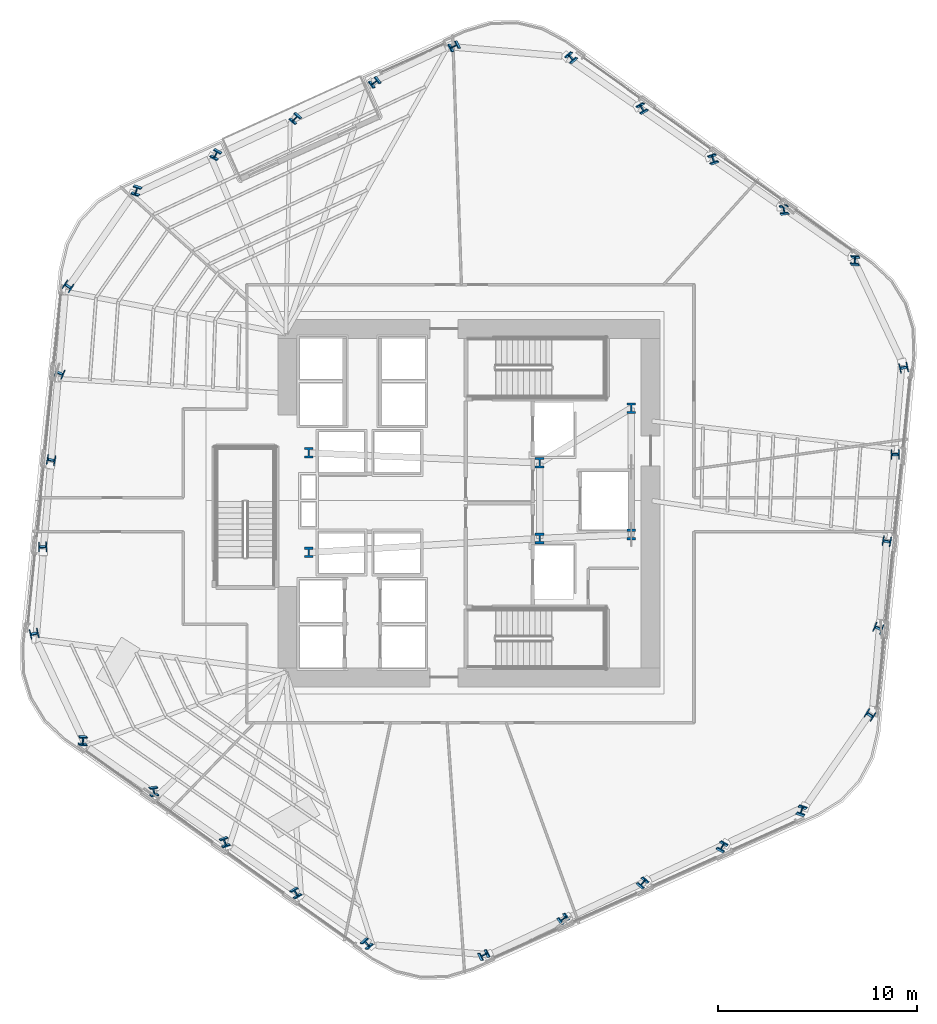
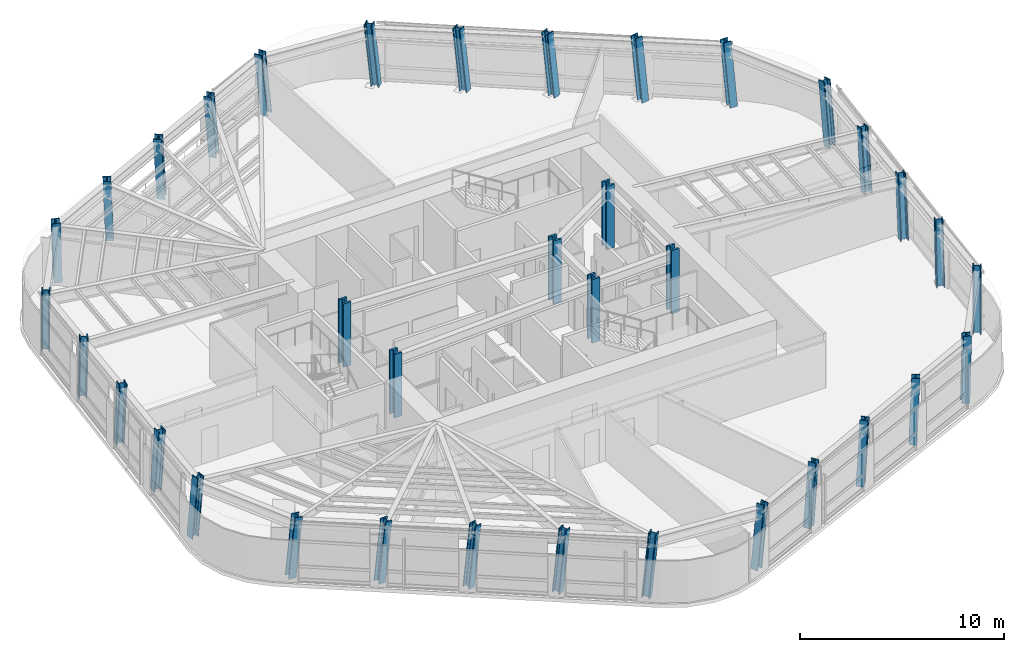
# One storey, part 1 of 16: 36 columns.
"""IFC4 building model written with IfcOpenShell, lengths in metres."""

from ifc_helpers import new_model, si_unit, direction, frame, origin, origin_2d, place, context, subcontext, project, spatial, i_section, extrude, material, material_profile, profile_set, type_object, element, save


model = new_model("IFC4")

# Units and contexts
model_context = context("Model", 3, precision=1e-05, world=origin(), true_north=direction((0.0, 1.0)))
body_context = subcontext(model_context, "Body", "Model", "MODEL_VIEW")
ifc_project = project(units=[si_unit("LENGTHUNIT", "METRE"), si_unit("AREAUNIT", "SQUARE_METRE"), si_unit("VOLUMEUNIT", "CUBIC_METRE"), si_unit("PLANEANGLEUNIT", "RADIAN"), si_unit("MASSUNIT", "GRAM", prefix="KILO")], contexts=[model_context])

# Site, building, storey
site_placement = place(None, origin())
site = spatial("IfcSite", under=ifc_project, at=site_placement, CompositionType="ELEMENT")
building_placement = place(site_placement, origin())
building = spatial("IfcBuilding", under=site, at=building_placement, Name="Valkerne Bourse Tower", CompositionType="ELEMENT")
storey_placement = place(building_placement, frame((0.0, 0.0, 127.60009765625)))
storey = spatial("IfcBuildingStorey", under=building, at=storey_placement, Name="L32", CompositionType="ELEMENT", Elevation=127.60009765625)

# Columns
ifc_material = material(Name="Steel ASTM A913 Grade 65", Category="steel")
ifc_material_profile_1 = material_profile(ifc_material, i_section(OverallWidth=0.408935546875, OverallDepth=0.42431640625, WebThickness=0.03271484375, FlangeThickness=0.052490234375, FilletRadius=0.025390625, at=origin_2d()), Name="W14X283")
ifc_profile_set_1 = profile_set([ifc_material_profile_1], Name="Steel ASTM A913 Grade 65")
column_type_1 = type_object("IfcColumnType", Name="COL-W14X283", PredefinedType="COLUMN", material=ifc_profile_set_1)
column_1_placement = place(storey_placement, frame((66.224365234375, 39.009765625, 0.010009765625), z_axis=(-0.050332594446, 0.079902190161, 0.99553114966), x_axis=(0.996753348808, -0.058703433643, 0.055105975343)))
element("IfcColumn", 1, at=column_1_placement, inside=storey, type_object=column_type_1, Name="L32 Helical Perimeter Tube Column F1-C1", PredefinedType="COLUMN", context=body_context, shape_type="SweptSolid", body=[
    extrude(i_section(OverallWidth=0.408935546875, OverallDepth=0.42431640625, WebThickness=0.03271484375, FlangeThickness=0.052490234375, FilletRadius=0.025390625, at=origin_2d()), origin(), (0.0, 0.0, 1.0), 3.798095703125),
])
column_2_placement = place(storey_placement, frame((62.664794921875, 41.5673828125, 0.010009765625), z_axis=(-0.060776245807, 0.065149562965, 0.996022982863), x_axis=(0.990287052371, 0.128951267169, 0.051991582027)))
element("IfcColumn", 2, at=column_2_placement, inside=storey, type_object=column_type_1, Name="L32 Helical Perimeter Tube Column F1-C2", PredefinedType="COLUMN", context=body_context, shape_type="SweptSolid", body=[
    extrude(i_section(OverallWidth=0.408935546875, OverallDepth=0.42431640625, WebThickness=0.03271484375, FlangeThickness=0.052490234375, FilletRadius=0.025390625, at=origin_2d()), origin(), (0.0, 0.0, 1.0), 3.796142578125),
])
column_3_placement = place(storey_placement, frame((59.105712890625, 44.125, 0.010009765625), z_axis=(-0.071334903883, 0.050365401029, 0.996180032859), x_axis=(0.943263082184, 0.328113050111, 0.05095668883)))
element("IfcColumn", 3, at=column_3_placement, inside=storey, type_object=column_type_1, Name="L32 Helical Perimeter Tube Column F1-C3", PredefinedType="COLUMN", context=body_context, shape_type="SweptSolid", body=[
    extrude(i_section(OverallWidth=0.408935546875, OverallDepth=0.42431640625, WebThickness=0.03271484375, FlangeThickness=0.052490234375, FilletRadius=0.025390625, at=origin_2d()), origin(), (0.0, 0.0, 1.0), 3.79541015625),
])
column_4_placement = place(storey_placement, frame((55.546142578125, 46.6826171875, 0.010009765625), z_axis=(-0.081678211211, 0.03556539433, 0.99602398191), x_axis=(0.857099755541, 0.512520791906, 0.051985064352)))
element("IfcColumn", 4, at=column_4_placement, inside=storey, type_object=column_type_1, Name="L32 Helical Perimeter Tube Column F1-C4", PredefinedType="COLUMN", context=body_context, shape_type="SweptSolid", body=[
    extrude(i_section(OverallWidth=0.408935546875, OverallDepth=0.42431640625, WebThickness=0.03271484375, FlangeThickness=0.052490234375, FilletRadius=0.025390625, at=origin_2d()), origin(), (0.0, 0.0, 1.0), 3.796142578125),
])
for number, where, z_axis, x_axis, name in (
    (5, (51.98681640625, 49.240234375, 0.010009765625), (-0.092115779728, 0.020763012458, 0.995531807849), (0.745280764515, 0.664469984104, 0.055101926176), "L32 Helical Perimeter Tube Column F1-C5"),
    (6, (46.111572265625, 49.826904296875, 0.010009765625), (-0.094429261762, -0.003664035344, 0.995524831116), (-0.444702303378, 0.894833820463, -0.038888238903), "L32 Helical Perimeter Tube Column F2-C1"),
):
    element("IfcColumn", number, at=place(storey_placement, frame(where, z_axis=z_axis, x_axis=x_axis)), inside=storey, type_object=column_type_1, Name=name, PredefinedType="COLUMN", context=body_context, shape_type="SweptSolid", body=[
        extrude(i_section(OverallWidth=0.408935546875, OverallDepth=0.42431640625, WebThickness=0.03271484375, FlangeThickness=0.052490234375, FilletRadius=0.025390625, at=origin_2d()), origin(), (0.0, 0.0, 1.0), 3.798095703125),
    ])
column_5_placement = place(storey_placement, frame((42.11669921875, 48.023193359375, 0.010009765625), z_axis=(-0.086823091581, -0.020065781165, 0.996021643939), x_axis=(-0.604576726843, 0.795702356179, -0.036670720353)))
element("IfcColumn", 7, at=column_5_placement, inside=storey, type_object=column_type_1, Name="L32 Helical Perimeter Tube Column F2-C2", PredefinedType="COLUMN", context=body_context, shape_type="SweptSolid", body=[
    extrude(i_section(OverallWidth=0.408935546875, OverallDepth=0.42431640625, WebThickness=0.03271484375, FlangeThickness=0.052490234375, FilletRadius=0.025390625, at=origin_2d()), origin(), (0.0, 0.0, 1.0), 3.796142578125),
])
column_6_placement = place(storey_placement, frame((38.1220703125, 46.219482421875, 0.010009765625), z_axis=(-0.079247123642, -0.036536011549, 0.996185230394), x_axis=(-0.753873843134, 0.656037099416, -0.035910344306)))
element("IfcColumn", 8, at=column_6_placement, inside=storey, type_object=column_type_1, Name="L32 Helical Perimeter Tube Column F2-C3", PredefinedType="COLUMN", context=body_context, shape_type="SweptSolid", body=[
    extrude(i_section(OverallWidth=0.408935546875, OverallDepth=0.42431640625, WebThickness=0.03271484375, FlangeThickness=0.052490234375, FilletRadius=0.025390625, at=origin_2d()), origin(), (0.0, 0.0, 1.0), 3.79541015625),
])
column_7_placement = place(storey_placement, frame((34.12744140625, 44.415771484375, 0.010009765625), z_axis=(-0.071645109939, -0.052994228537, 0.996021380274), x_axis=(-0.871516145036, 0.488993638267, -0.036671933082)))
element("IfcColumn", 9, at=column_7_placement, inside=storey, type_object=column_type_1, Name="L32 Helical Perimeter Tube Column F2-C4", PredefinedType="COLUMN", context=body_context, shape_type="SweptSolid", body=[
    extrude(i_section(OverallWidth=0.408935546875, OverallDepth=0.42431640625, WebThickness=0.03271484375, FlangeThickness=0.052490234375, FilletRadius=0.025390625, at=origin_2d()), origin(), (0.0, 0.0, 1.0), 3.796142578125),
])
for number, where, z_axis, x_axis, name in (
    (10, (30.1328125, 42.612060546875, 0.010009765625), (-0.064024566123, -0.069424228326, 0.99553057786), (-0.947723078244, 0.316718501968, -0.038863317867), "L32 Helical Perimeter Tube Column F2-C5"),
    (11, (26.687255859375, 37.817138671875, 0.010009765625), (-0.044097042712, -0.083565824381, 0.995526093992), (-0.550154258358, -0.829753314724, -0.094019831496), "L32 Helical Perimeter Tube Column F3-C1"),
):
    element("IfcColumn", number, at=place(storey_placement, frame(where, z_axis=z_axis, x_axis=x_axis)), inside=storey, type_object=column_type_1, Name=name, PredefinedType="COLUMN", context=body_context, shape_type="SweptSolid", body=[
        extrude(i_section(OverallWidth=0.408935546875, OverallDepth=0.42431640625, WebThickness=0.03271484375, FlangeThickness=0.052490234375, FilletRadius=0.025390625, at=origin_2d()), origin(), (0.0, 0.0, 1.0), 3.798095703125),
    ])
column_8_placement = place(storey_placement, frame((26.251953125, 33.455810546875, 0.010009765625), z_axis=(-0.026046795122, -0.085279136622, 0.996016582854), x_axis=(-0.384494376327, -0.918853383033, -0.08872730731)))
element("IfcColumn", 12, at=column_8_placement, inside=storey, type_object=column_type_1, Name="L32 Helical Perimeter Tube Column F3-C2", PredefinedType="COLUMN", context=body_context, shape_type="SweptSolid", body=[
    extrude(i_section(OverallWidth=0.408935546875, OverallDepth=0.42431640625, WebThickness=0.03271484375, FlangeThickness=0.052490234375, FilletRadius=0.025390625, at=origin_2d()), origin(), (0.0, 0.0, 1.0), 3.796142578125),
])
column_9_placement = place(storey_placement, frame((25.81640625, 29.094482421875, 0.010009765625), z_axis=(-0.007976169407, -0.086901652166, 0.996184964538), x_axis=(-0.189504820745, -0.978032478542, -0.086835441098)))
element("IfcColumn", 13, at=column_9_placement, inside=storey, type_object=column_type_1, Name="L32 Helical Perimeter Tube Column F3-C3", PredefinedType="COLUMN", context=body_context, shape_type="SweptSolid", body=[
    extrude(i_section(OverallWidth=0.408935546875, OverallDepth=0.42431640625, WebThickness=0.03271484375, FlangeThickness=0.052490234375, FilletRadius=0.025390625, at=origin_2d()), origin(), (0.0, 0.0, 1.0), 3.79541015625),
])
column_10_placement = place(storey_placement, frame((25.381103515625, 24.733154296875, 0.010009765625), z_axis=(0.01009718448, -0.088559382351, 0.996019720017), x_axis=(0.013592845558, -0.995966308257, -0.088692431279)))
element("IfcColumn", 14, at=column_10_placement, inside=storey, type_object=column_type_1, Name="L32 Helical Perimeter Tube Column F3-C4", PredefinedType="COLUMN", context=body_context, shape_type="SweptSolid", body=[
    extrude(i_section(OverallWidth=0.408935546875, OverallDepth=0.42431640625, WebThickness=0.03271484375, FlangeThickness=0.052490234375, FilletRadius=0.025390625, at=origin_2d()), origin(), (0.0, 0.0, 1.0), 3.796142578125),
])
for number, where, z_axis, x_axis, name in (
    (15, (24.94580078125, 20.371826171875, 0.010009765625), (0.028155274628, -0.09018687284, 0.995526799478), (0.200396775906, -0.975193721419, -0.094012434881), "L32 Helical Perimeter Tube Column F3-C5"),
    (16, (27.375732421875, 14.990234375, 0.010009765625), (0.050332594446, -0.079902190161, 0.99553114966), (0.996753348808, -0.058703433643, -0.055105975343), "L32 Helical Perimeter Tube Column F4-C1"),
):
    element("IfcColumn", number, at=place(storey_placement, frame(where, z_axis=z_axis, x_axis=x_axis)), inside=storey, type_object=column_type_1, Name=name, PredefinedType="COLUMN", context=body_context, shape_type="SweptSolid", body=[
        extrude(i_section(OverallWidth=0.408935546875, OverallDepth=0.42431640625, WebThickness=0.03271484375, FlangeThickness=0.052490234375, FilletRadius=0.025390625, at=origin_2d()), origin(), (0.0, 0.0, 1.0), 3.798095703125),
    ])
column_11_placement = place(storey_placement, frame((30.93505859375, 12.4326171875, 0.010009765625), z_axis=(0.06084032136, -0.06514930818, 0.996019087639), x_axis=(0.990217332876, 0.129475352173, -0.052016986192)))
element("IfcColumn", 17, at=column_11_placement, inside=storey, type_object=column_type_1, Name="L32 Helical Perimeter Tube Column F4-C2", PredefinedType="COLUMN", context=body_context, shape_type="SweptSolid", body=[
    extrude(i_section(OverallWidth=0.408935546875, OverallDepth=0.42431640625, WebThickness=0.03271484375, FlangeThickness=0.052490234375, FilletRadius=0.025390625, at=origin_2d()), origin(), (0.0, 0.0, 1.0), 3.796142578125),
])
column_12_placement = place(storey_placement, frame((34.494384765625, 9.875, 0.010009765625), z_axis=(0.071270907136, -0.050365632029, 0.996184601822), x_axis=(0.943404659593, 0.327710487919, -0.050926264014)))
element("IfcColumn", 18, at=column_12_placement, inside=storey, type_object=column_type_1, Name="L32 Helical Perimeter Tube Column F4-C3", PredefinedType="COLUMN", context=body_context, shape_type="SweptSolid", body=[
    extrude(i_section(OverallWidth=0.408935546875, OverallDepth=0.42431640625, WebThickness=0.03271484375, FlangeThickness=0.052490234375, FilletRadius=0.025390625, at=origin_2d()), origin(), (0.0, 0.0, 1.0), 3.79541015625),
])
column_13_placement = place(storey_placement, frame((38.0537109375, 7.3173828125, 0.010009765625), z_axis=(0.081742095203, -0.035565207433, 0.996018747761), x_axis=(0.856949300986, 0.512768854494, -0.052019202235)))
element("IfcColumn", 19, at=column_13_placement, inside=storey, type_object=column_type_1, Name="L32 Helical Perimeter Tube Column F4-C4", PredefinedType="COLUMN", context=body_context, shape_type="SweptSolid", body=[
    extrude(i_section(OverallWidth=0.408935546875, OverallDepth=0.42431640625, WebThickness=0.03271484375, FlangeThickness=0.052490234375, FilletRadius=0.025390625, at=origin_2d()), origin(), (0.0, 0.0, 1.0), 3.796142578125),
])
for number, where, z_axis, x_axis, name in (
    (20, (41.61328125, 4.759765625, 0.010009765625), (0.092115779728, -0.020763012458, 0.995531807849), (0.745280764515, 0.664469984104, -0.055101926176), "L32 Helical Perimeter Tube Column F4-C5"),
    (21, (47.488525390625, 4.173095703125, 0.010009765625), (0.094365553049, 0.003664057578, 0.995530871987), (-0.444728403759, 0.894821987094, 0.038862041935), "L32 Helical Perimeter Tube Column F5-C1"),
):
    element("IfcColumn", number, at=place(storey_placement, frame(where, z_axis=z_axis, x_axis=x_axis)), inside=storey, type_object=column_type_1, Name=name, PredefinedType="COLUMN", context=body_context, shape_type="SweptSolid", body=[
        extrude(i_section(OverallWidth=0.408935546875, OverallDepth=0.42431640625, WebThickness=0.03271484375, FlangeThickness=0.052490234375, FilletRadius=0.025390625, at=origin_2d()), origin(), (0.0, 0.0, 1.0), 3.798095703125),
    ])
column_14_placement = place(storey_placement, frame((51.483154296875, 5.976806640625, 0.010009765625), z_axis=(0.086886919637, 0.02006566908, 0.996016080252), x_axis=(-0.604445266778, 0.795801043531, 0.036696302049)))
element("IfcColumn", 22, at=column_14_placement, inside=storey, type_object=column_type_1, Name="L32 Helical Perimeter Tube Column F5-C2", PredefinedType="COLUMN", context=body_context, shape_type="SweptSolid", body=[
    extrude(i_section(OverallWidth=0.408935546875, OverallDepth=0.42431640625, WebThickness=0.03271484375, FlangeThickness=0.052490234375, FilletRadius=0.025390625, at=origin_2d()), origin(), (0.0, 0.0, 1.0), 3.796142578125),
])
column_15_placement = place(storey_placement, frame((55.477783203125, 7.780517578125, 0.010009765625), z_axis=(0.079311043156, 0.036535825233, 0.996180150328), x_axis=(-0.753669577489, 0.656270448176, 0.035934201232)))
element("IfcColumn", 23, at=column_15_placement, inside=storey, type_object=column_type_1, Name="L32 Helical Perimeter Tube Column F5-C3", PredefinedType="COLUMN", context=body_context, shape_type="SweptSolid", body=[
    extrude(i_section(OverallWidth=0.408935546875, OverallDepth=0.42431640625, WebThickness=0.03271484375, FlangeThickness=0.052490234375, FilletRadius=0.025390625, at=origin_2d()), origin(), (0.0, 0.0, 1.0), 3.79541015625),
])
column_16_placement = place(storey_placement, frame((59.47265625, 9.584228515625, 0.010009765625), z_axis=(0.071645109939, 0.052994228537, 0.996021380274), x_axis=(-0.871516145036, 0.488993638267, 0.036671933082)))
element("IfcColumn", 24, at=column_16_placement, inside=storey, type_object=column_type_1, Name="L32 Helical Perimeter Tube Column F5-C4", PredefinedType="COLUMN", context=body_context, shape_type="SweptSolid", body=[
    extrude(i_section(OverallWidth=0.408935546875, OverallDepth=0.42431640625, WebThickness=0.03271484375, FlangeThickness=0.052490234375, FilletRadius=0.025390625, at=origin_2d()), origin(), (0.0, 0.0, 1.0), 3.796142578125),
])
for number, where, z_axis, x_axis, name in (
    (25, (63.46728515625, 11.387939453125, 0.010009765625), (0.064024566123, 0.069424228326, 0.99553057786), (-0.947723078244, 0.316718501968, 0.038863317867), "L32 Helical Perimeter Tube Column F5-C5"),
    (26, (66.912841796875, 16.182861328125, 0.010009765625), (0.044032886034, 0.083566061087, 0.995528913885), (-0.549656057464, -0.830086771944, 0.093990262988), "L32 Helical Perimeter Tube Column F6-C1"),
):
    element("IfcColumn", number, at=place(storey_placement, frame(where, z_axis=z_axis, x_axis=x_axis)), inside=storey, type_object=column_type_1, Name=name, PredefinedType="COLUMN", context=body_context, shape_type="SweptSolid", body=[
        extrude(i_section(OverallWidth=0.408935546875, OverallDepth=0.42431640625, WebThickness=0.03271484375, FlangeThickness=0.052490234375, FilletRadius=0.025390625, at=origin_2d()), origin(), (0.0, 0.0, 1.0), 3.798095703125),
    ])
column_17_placement = place(storey_placement, frame((67.34814453125, 20.544189453125, 0.010009765625), z_axis=(0.026046795122, 0.085279136622, 0.996016582854), x_axis=(-0.384494376327, -0.918853383033, 0.08872730731)))
element("IfcColumn", 27, at=column_17_placement, inside=storey, type_object=column_type_1, Name="L32 Helical Perimeter Tube Column F6-C2", PredefinedType="COLUMN", context=body_context, shape_type="SweptSolid", body=[
    extrude(i_section(OverallWidth=0.408935546875, OverallDepth=0.42431640625, WebThickness=0.03271484375, FlangeThickness=0.052490234375, FilletRadius=0.025390625, at=origin_2d()), origin(), (0.0, 0.0, 1.0), 3.796142578125),
])
column_18_placement = place(storey_placement, frame((67.783447265625, 24.905517578125, 0.010009765625), z_axis=(0.007976169407, 0.086901652166, 0.996184964538), x_axis=(-0.189504820745, -0.978032478542, 0.086835441098)))
element("IfcColumn", 28, at=column_18_placement, inside=storey, type_object=column_type_1, Name="L32 Helical Perimeter Tube Column F6-C3", PredefinedType="COLUMN", context=body_context, shape_type="SweptSolid", body=[
    extrude(i_section(OverallWidth=0.408935546875, OverallDepth=0.42431640625, WebThickness=0.03271484375, FlangeThickness=0.052490234375, FilletRadius=0.025390625, at=origin_2d()), origin(), (0.0, 0.0, 1.0), 3.79541015625),
])
column_19_placement = place(storey_placement, frame((68.21875, 29.266845703125, 0.010009765625), z_axis=(-0.01009718448, 0.088559382351, 0.996019720017), x_axis=(0.013592845558, -0.995966308257, 0.088692431279)))
element("IfcColumn", 29, at=column_19_placement, inside=storey, type_object=column_type_1, Name="L32 Helical Perimeter Tube Column F6-C4", PredefinedType="COLUMN", context=body_context, shape_type="SweptSolid", body=[
    extrude(i_section(OverallWidth=0.408935546875, OverallDepth=0.42431640625, WebThickness=0.03271484375, FlangeThickness=0.052490234375, FilletRadius=0.025390625, at=origin_2d()), origin(), (0.0, 0.0, 1.0), 3.796142578125),
])
column_20_placement = place(storey_placement, frame((68.654052734375, 33.628173828125, 0.010009765625), z_axis=(-0.028091043962, 0.090187035879, 0.995528599192), x_axis=(0.199763787621, -0.975325401713, 0.093993563233)))
element("IfcColumn", 30, at=column_20_placement, inside=storey, type_object=column_type_1, Name="L32 Helical Perimeter Tube Column F6-C5", PredefinedType="COLUMN", context=body_context, shape_type="SweptSolid", body=[
    extrude(i_section(OverallWidth=0.408935546875, OverallDepth=0.42431640625, WebThickness=0.03271484375, FlangeThickness=0.052490234375, FilletRadius=0.025390625, at=origin_2d()), origin(), (0.0, 0.0, 1.0), 3.798095703125),
])
ifc_material_profile_2 = material_profile(ifc_material, i_section(OverallWidth=0.44189453125, OverallDepth=0.531005859375, WebThickness=0.06591796875, FlangeThickness=0.105712890625, FilletRadius=0.030517578125, at=origin_2d()), Name="W14X605")
ifc_profile_set_2 = profile_set([ifc_material_profile_2], Name="Steel ASTM A913 Grade 65")
column_type_2 = type_object("IfcColumnType", Name="COL-W14X605", PredefinedType="COLUMN", material=ifc_profile_set_2)
for number, where, z_axis, x_axis, name in (
    (31, (38.75, 24.39990234375, 0.0048828125), (0.0, 0.0, 1.0), (1.0, 0.0, 0.0), "L32 Core Frame Column CC-SW"),
    (32, (38.75, 29.39990234375, 0.0048828125), (0.0, 0.0, 1.0), (1.0, 0.0, 0.0), "L32 Core Frame Column CC-NW"),
    (33, (50.35009765625, 25.10009765625, 0.0048828125), (0.0, 0.0, 1.0), (1.0, 0.0, 0.0), "L32 Core Frame Column CC-CE1"),
    (34, (50.35009765625, 28.89990234375, 0.0048828125), (0.0, 0.0, 1.0), (1.0, 0.0, 0.0), "L32 Core Frame Column CC-CE2"),
    (35, (54.949951171875, 25.300048828125, 0.0048828125), (0.0, 0.0, 1.0), (1.0, 0.0, 0.0), "L32 Core Frame Column CC-SE"),
    (36, (54.949951171875, 31.64990234375, 0.0048828125), (0.0, 0.0, 1.0), (1.0, 0.0, 0.0), "L32 Core Frame Column CC-NE"),
):
    element("IfcColumn", number, at=place(storey_placement, frame(where, z_axis=z_axis, x_axis=x_axis)), inside=storey, type_object=column_type_2, Name=name, PredefinedType="COLUMN", context=body_context, shape_type="SweptSolid", body=[
        extrude(i_section(OverallWidth=0.44189453125, OverallDepth=0.531005859375, WebThickness=0.06591796875, FlangeThickness=0.105712890625, FilletRadius=0.030517578125, at=origin_2d()), origin(), (0.0, 0.0, 1.0), 3.794921875),
    ])

save(model, "model.ifc")
